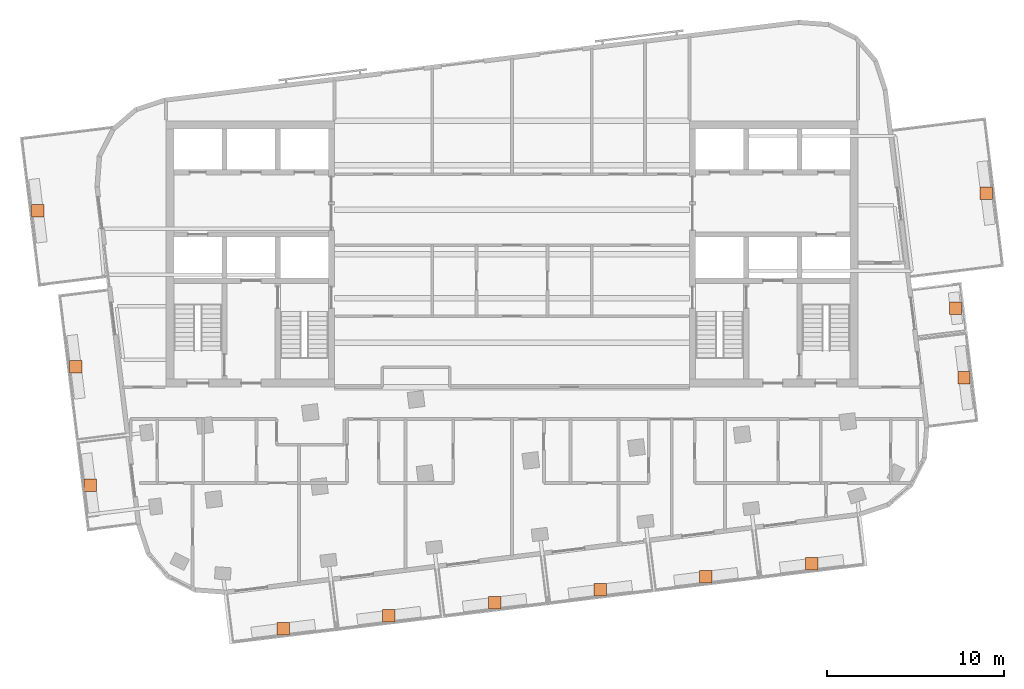
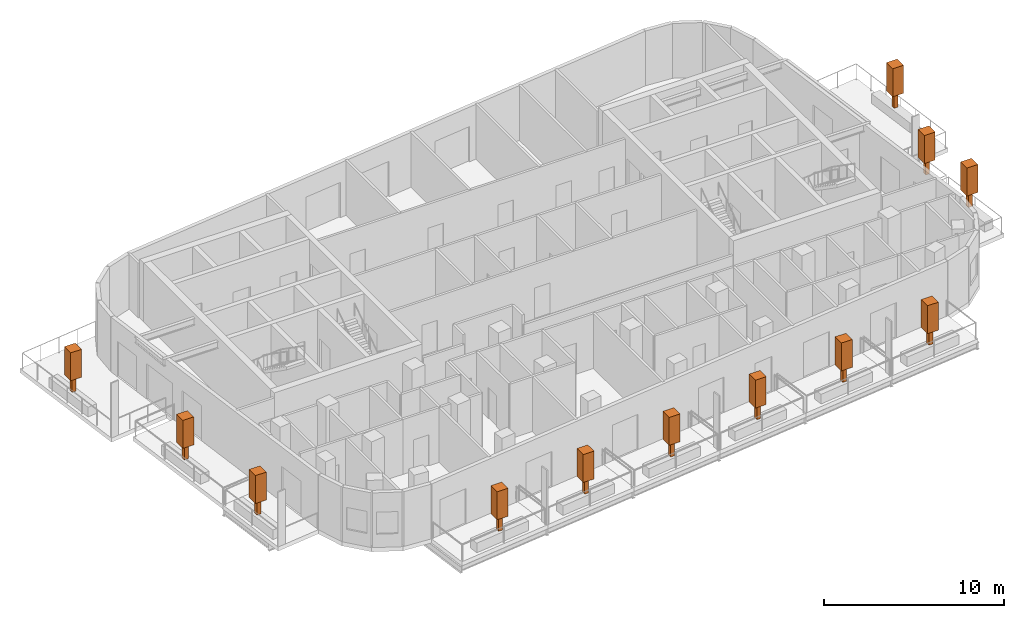
# One storey, part 11 of 11: 12 geographic elements.
"""IFC4 building model written with IfcOpenShell, lengths in metres."""

from ifc_helpers import new_model, si_unit, direction, frame, origin, origin_2d, place, context, subcontext, project, spatial, rectangle, extrude, material, element, save


model = new_model("IFC4")

# Units and contexts
model_context = context("Model", 3, precision=1e-05, world=origin(), true_north=direction((0.0, 1.0)))
body_context = subcontext(model_context, "Body", "Model", "MODEL_VIEW")
ifc_project = project(units=[si_unit("LENGTHUNIT", "METRE"), si_unit("AREAUNIT", "SQUARE_METRE"), si_unit("VOLUMEUNIT", "CUBIC_METRE"), si_unit("PLANEANGLEUNIT", "RADIAN"), si_unit("MASSUNIT", "GRAM", prefix="KILO")], contexts=[model_context])

# Site, building, storey
site_placement = place(None, origin())
site = spatial("IfcSite", under=ifc_project, at=site_placement, CompositionType="ELEMENT")
building_placement = place(site_placement, origin())
building = spatial("IfcBuilding", under=site, at=building_placement, Name="Torana Hotel and Residences", CompositionType="ELEMENT")
storey_placement = place(building_placement, frame((0.0, 0.0, 326.60009765625)))
storey = spatial("IfcBuildingStorey", under=building, at=storey_placement, Name="L86", CompositionType="ELEMENT", Elevation=326.60009765625)

# Geographic elements
ifc_material = material(Name="Foliage", Category="planting")
for number, where, z_axis, x_axis, name in (
    (1, (-12.8896484375, -28.605712890625, 0.64990234375), (0.0, 0.0, 1.0), (1.0, 0.0, 0.0), "Tree 01"),
    (2, (-6.934326171875, -27.87451171875, 0.64990234375), (0.0, 0.0, 1.0), (1.0, 0.0, 0.0), "Tree 02"),
    (3, (-0.97900390625, -27.143310546875, 0.64990234375), (0.0, 0.0, 1.0), (1.0, 0.0, 0.0), "Tree 03"),
    (4, (4.976318359375, -26.412109375, 0.64990234375), (0.0, 0.0, 1.0), (1.0, 0.0, 0.0), "Tree 04"),
    (5, (10.931396484375, -25.680908203125, 0.64990234375), (0.0, 0.0, 1.0), (1.0, 0.0, 0.0), "Tree 05"),
    (6, (16.88671875, -24.94970703125, 0.64990234375), (0.0, 0.0, 1.0), (1.0, 0.0, 0.0), "Tree 06"),
    (7, (-23.756103515625, -20.519775390625, 0.64990234375), (0.0, 0.0, 1.0), (1.0, 0.0, 0.0), "Tree 07"),
    (8, (-24.573974609375, -13.857421875, 0.64990234375), (0.0, 0.0, 1.0), (1.0, 0.0, 0.0), "Tree 08"),
    (9, (-26.71240234375, -5.058349609375, 0.64990234375), (0.0, 0.0, 1.0), (1.0, 0.0, 0.0), "Tree 09"),
    (10, (25.474365234375, -14.47509765625, 0.64990234375), (0.0, 0.0, 1.0), (1.0, 0.0, 0.0), "Tree 10"),
    (11, (24.992919921875, -10.5546875, 0.64990234375), (0.0, 0.0, 1.0), (1.0, 0.0, 0.0), "Tree 11"),
    (12, (26.71484375, -4.06494140625, 0.64990234375), (0.0, 0.0, 1.0), (1.0, 0.0, 0.0), "Tree 12"),
):
    element("IfcGeographicElement", number, at=place(storey_placement, frame(where, z_axis=z_axis, x_axis=x_axis)), inside=storey, material=ifc_material, Name=name, ObjectType="TREE", PredefinedType="USERDEFINED", context=body_context, shape_type="SweptSolid", body=[
        extrude(rectangle(XDim=0.25, YDim=0.25, at=origin_2d()), origin(), (0.0, 0.0, 1.0), 1.0),
        extrude(rectangle(XDim=0.699951171875, YDim=0.699951171875, at=origin_2d()), frame((0.0, 0.0, 1.0)), (0.0, 0.0, 1.0), 1.89990234375),
    ])

save(model, "model.ifc")
